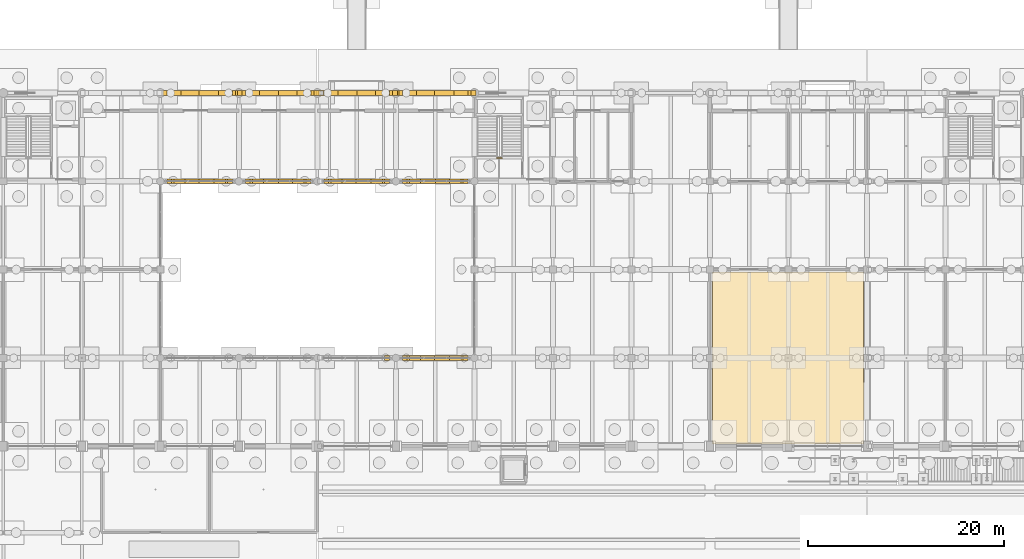
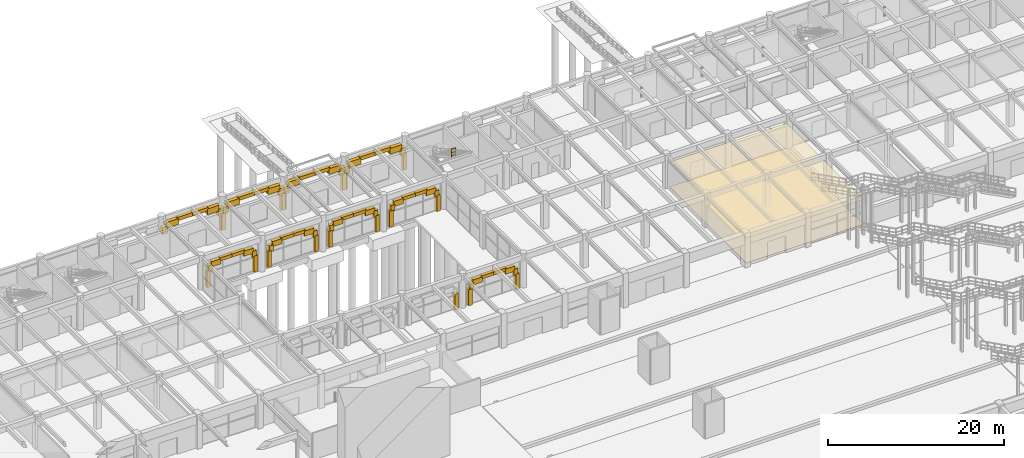
# One storey, part 139 of 147: 74 coverings, 1 railing.
"""IFC4 building model written with IfcOpenShell, lengths in metres."""

from ifc_helpers import new_model, si_unit, direction, frame, origin, origin_2d, place, context, subcontext, project, spatial, polyline, rectangle, circle, outline, extrude, material, layer, layer_set, type_object, element, save


model = new_model("IFC4")

# Units and contexts
model_context = context("Model", 3, precision=1e-05, world=origin(), true_north=direction((0.0, 1.0)))
body_context = subcontext(model_context, "Body", "Model", "MODEL_VIEW")
ifc_project = project(units=[si_unit("LENGTHUNIT", "METRE"), si_unit("AREAUNIT", "SQUARE_METRE"), si_unit("VOLUMEUNIT", "CUBIC_METRE"), si_unit("PLANEANGLEUNIT", "RADIAN"), si_unit("MASSUNIT", "GRAM", prefix="KILO")], contexts=[model_context])

# Site, building, storey
site_placement = place(None, origin())
site = spatial("IfcSite", under=ifc_project, at=site_placement, CompositionType="ELEMENT")
building_placement = place(site_placement, origin())
building = spatial("IfcBuilding", under=site, at=building_placement, Name="Varnabhumi Central Station", CompositionType="ELEMENT")
storey_placement = place(building_placement, origin())
storey = spatial("IfcBuildingStorey", under=building, at=storey_placement, Name="L00", CompositionType="ELEMENT", Elevation=0.0)

# Coverings
ifc_material_1 = material(Name="Mineral-fibre acoustic tile")
ifc_layer_1 = layer(ifc_material_1, 0.02490234375, Name="Mineral-fibre acoustic tile")
ifc_layer_set_1 = layer_set([ifc_layer_1], Name="Mineral-fibre acoustic tile")
covering_type_1 = type_object("IfcCoveringType", Name="COV-CEIL-ACOUSTIC", PredefinedType="CEILING", material=ifc_layer_set_1)
covering_1_placement = place(storey_placement, frame((0.0, 0.0, 3.469970703125)))
element("IfcCovering", 1, at=covering_1_placement, inside=storey, type_object=covering_type_1, Name="Forecourt Espresso and Snack Bar Acoustic Ceiling", PredefinedType="CEILING", context=body_context, shape_type="SweptSolid", body=[
    extrude(outline(polyline([(104.25, 80.25), (119.64990234375, 80.25), (119.64990234375, 97.75), (104.25, 97.75), (104.25, 80.25)])), origin(), (0.0, 0.0, 1.0), 0.025146484375),
])
ifc_material_2 = material(Name="Vitrified granite stone flooring", Category="masonry")
ifc_layer_2 = layer(ifc_material_2, 0.030029296875, Name="Vitrified granite stone flooring", Category="masonry")
ifc_layer_set_2 = layer_set([ifc_layer_2], Name="Vitrified granite stone flooring")
covering_type_2 = type_object("IfcCoveringType", Name="COV-FLOR-GRANITE", PredefinedType="FLOORING", material=ifc_layer_set_2)
covering_2_placement = place(storey_placement, origin())
element("IfcCovering", 2, at=covering_2_placement, inside=storey, type_object=covering_type_2, Name="Forecourt Espresso and Snack Bar Granite Flooring", PredefinedType="FLOORING", context=body_context, shape_type="SweptSolid", body=[
    extrude(outline(polyline([(104.25, 80.25), (119.64990234375, 80.25), (119.64990234375, 97.75), (104.25, 97.75), (104.25, 80.25)])), origin(), (0.0, 0.0, 1.0), 0.030029296875),
])
ifc_material_3 = material(Name="Terracotta clay Mission barrel tile", Category="masonry")
ifc_layer_3 = layer(ifc_material_3, 0.02001953125, Name="Terracotta clay Mission barrel tile", Category="masonry")
ifc_layer_set_3 = layer_set([ifc_layer_3], Name="Terracotta clay Mission barrel tile")
covering_type_3 = type_object("IfcCoveringType", Name="COV-WALL-FAIENCE", PredefinedType="CLADDING", material=ifc_layer_set_3)
covering_3_placement = place(storey_placement, frame((48.342529296875, 116.0, 2.110107421875), z_axis=(0.0, 0.0, 1.0), x_axis=(1.0, 0.0, 0.0)))
element("IfcCovering", 3, at=covering_3_placement, inside=storey, type_object=covering_type_3, Name="North Boulevard Portales Arch 7 Stone Voussoir 1", PredefinedType="CLADDING", context=body_context, shape_type="SweptSolid", body=[
    extrude(rectangle(XDim=0.64501953125, YDim=0.47998046875, at=origin_2d()), origin(), (0.0, 0.0, 1.0), 1.0048828125),
])
covering_4_placement = place(storey_placement, frame((49.322509765625, 116.0, 2.8349609375), z_axis=(0.0, 0.0, 1.0), x_axis=(1.0, 0.0, 0.0)))
element("IfcCovering", 4, at=covering_4_placement, inside=storey, type_object=covering_type_3, Name="North Boulevard Portales Arch 7 Stone Voussoir 2", PredefinedType="CLADDING", context=body_context, shape_type="SweptSolid", body=[
    extrude(rectangle(XDim=1.554931640625, YDim=0.47998046875, at=origin_2d()), origin(), (0.0, 0.0, 1.0), 0.81103515625),
])
for number, where, z_axis, x_axis, name in (
    (5, (51.02001953125, 116.0, 3.365966796875), (0.0, 0.0, 1.0), (1.0, 0.0, 0.0), "North Boulevard Portales Arch 7 Stone Voussoir 3"),
    (6, (52.97998046875, 116.0, 3.365966796875), (0.0, 0.0, 1.0), (1.0, 0.0, 0.0), "North Boulevard Portales Arch 7 Stone Voussoir 4"),
):
    element("IfcCovering", number, at=place(storey_placement, frame(where, z_axis=z_axis, x_axis=x_axis)), inside=storey, type_object=covering_type_3, Name=name, PredefinedType="CLADDING", context=body_context, shape_type="SweptSolid", body=[
        extrude(rectangle(XDim=2.080078125, YDim=0.47998046875, at=origin_2d()), origin(), (0.0, 0.0, 1.0), 0.47412109375),
    ])
covering_5_placement = place(storey_placement, frame((54.677490234375, 116.0, 2.8349609375), z_axis=(0.0, 0.0, 1.0), x_axis=(1.0, 0.0, 0.0)))
element("IfcCovering", 7, at=covering_5_placement, inside=storey, type_object=covering_type_3, Name="North Boulevard Portales Arch 7 Stone Voussoir 5", PredefinedType="CLADDING", context=body_context, shape_type="SweptSolid", body=[
    extrude(rectangle(XDim=1.554931640625, YDim=0.47998046875, at=origin_2d()), origin(), (0.0, 0.0, 1.0), 0.81103515625),
])
covering_6_placement = place(storey_placement, frame((55.657470703125, 116.0, 2.110107421875), z_axis=(0.0, 0.0, 1.0), x_axis=(1.0, 0.0, 0.0)))
element("IfcCovering", 8, at=covering_6_placement, inside=storey, type_object=covering_type_3, Name="North Boulevard Portales Arch 7 Stone Voussoir 6", PredefinedType="CLADDING", context=body_context, shape_type="SweptSolid", body=[
    extrude(rectangle(XDim=0.64501953125, YDim=0.47998046875, at=origin_2d()), origin(), (0.0, 0.0, 1.0), 1.0048828125),
])
covering_7_placement = place(storey_placement, frame((55.919921875, 116.0, -0.02001953125), z_axis=(0.0, 0.0, 1.0), x_axis=(1.0, 0.0, 0.0)))
element("IfcCovering", 9, at=covering_7_placement, inside=storey, type_object=covering_type_3, Name="North Boulevard Portales Arch 7 Classical Pilaster 2", PredefinedType="CLADDING", context=body_context, shape_type="SweptSolid", body=[
    extrude(rectangle(XDim=0.47998046875, YDim=0.47998046875, at=origin_2d()), origin(), (0.0, 0.0, 1.0), 2.2900390625),
])
covering_8_placement = place(storey_placement, frame((56.342529296875, 116.0, 2.110107421875), z_axis=(0.0, 0.0, 1.0), x_axis=(1.0, 0.0, 0.0)))
element("IfcCovering", 10, at=covering_8_placement, inside=storey, type_object=covering_type_3, Name="North Boulevard Portales Arch 8 Stone Voussoir 1", PredefinedType="CLADDING", context=body_context, shape_type="SweptSolid", body=[
    extrude(rectangle(XDim=0.64501953125, YDim=0.47998046875, at=origin_2d()), origin(), (0.0, 0.0, 1.0), 1.0048828125),
])
covering_9_placement = place(storey_placement, frame((57.322509765625, 116.0, 2.8349609375), z_axis=(0.0, 0.0, 1.0), x_axis=(1.0, 0.0, 0.0)))
element("IfcCovering", 11, at=covering_9_placement, inside=storey, type_object=covering_type_3, Name="North Boulevard Portales Arch 8 Stone Voussoir 2", PredefinedType="CLADDING", context=body_context, shape_type="SweptSolid", body=[
    extrude(rectangle(XDim=1.554931640625, YDim=0.47998046875, at=origin_2d()), origin(), (0.0, 0.0, 1.0), 0.81103515625),
])
for number, where, z_axis, x_axis, name in (
    (12, (59.02001953125, 116.0, 3.365966796875), (0.0, 0.0, 1.0), (1.0, 0.0, 0.0), "North Boulevard Portales Arch 8 Stone Voussoir 3"),
    (13, (60.97998046875, 116.0, 3.365966796875), (0.0, 0.0, 1.0), (1.0, 0.0, 0.0), "North Boulevard Portales Arch 8 Stone Voussoir 4"),
):
    element("IfcCovering", number, at=place(storey_placement, frame(where, z_axis=z_axis, x_axis=x_axis)), inside=storey, type_object=covering_type_3, Name=name, PredefinedType="CLADDING", context=body_context, shape_type="SweptSolid", body=[
        extrude(rectangle(XDim=2.080078125, YDim=0.47998046875, at=origin_2d()), origin(), (0.0, 0.0, 1.0), 0.47412109375),
    ])
covering_10_placement = place(storey_placement, frame((62.677490234375, 116.0, 2.8349609375), z_axis=(0.0, 0.0, 1.0), x_axis=(1.0, 0.0, 0.0)))
element("IfcCovering", 14, at=covering_10_placement, inside=storey, type_object=covering_type_3, Name="North Boulevard Portales Arch 8 Stone Voussoir 5", PredefinedType="CLADDING", context=body_context, shape_type="SweptSolid", body=[
    extrude(rectangle(XDim=1.554931640625, YDim=0.47998046875, at=origin_2d()), origin(), (0.0, 0.0, 1.0), 0.81103515625),
])
covering_11_placement = place(storey_placement, frame((63.657470703125, 116.0, 2.110107421875), z_axis=(0.0, 0.0, 1.0), x_axis=(1.0, 0.0, 0.0)))
element("IfcCovering", 15, at=covering_11_placement, inside=storey, type_object=covering_type_3, Name="North Boulevard Portales Arch 8 Stone Voussoir 6", PredefinedType="CLADDING", context=body_context, shape_type="SweptSolid", body=[
    extrude(rectangle(XDim=0.64501953125, YDim=0.47998046875, at=origin_2d()), origin(), (0.0, 0.0, 1.0), 1.0048828125),
])
for number, where, z_axis, x_axis, name in (
    (16, (56.080078125, 116.0, -0.02001953125), (0.0, 0.0, 1.0), (1.0, 0.0, 0.0), "North Boulevard Portales Arch 8 Classical Pilaster 1"),
    (17, (63.919921875, 116.0, -0.02001953125), (0.0, 0.0, 1.0), (1.0, 0.0, 0.0), "North Boulevard Portales Arch 8 Classical Pilaster 2"),
):
    element("IfcCovering", number, at=place(storey_placement, frame(where, z_axis=z_axis, x_axis=x_axis)), inside=storey, type_object=covering_type_3, Name=name, PredefinedType="CLADDING", context=body_context, shape_type="SweptSolid", body=[
        extrude(rectangle(XDim=0.47998046875, YDim=0.47998046875, at=origin_2d()), origin(), (0.0, 0.0, 1.0), 2.2900390625),
    ])
covering_12_placement = place(storey_placement, frame((64.342529296875, 116.0, 2.110107421875), z_axis=(0.0, 0.0, 1.0), x_axis=(1.0, 0.0, 0.0)))
element("IfcCovering", 18, at=covering_12_placement, inside=storey, type_object=covering_type_3, Name="North Boulevard Portales Arch 9 Stone Voussoir 1", PredefinedType="CLADDING", context=body_context, shape_type="SweptSolid", body=[
    extrude(rectangle(XDim=0.64501953125, YDim=0.47998046875, at=origin_2d()), origin(), (0.0, 0.0, 1.0), 1.0048828125),
])
covering_13_placement = place(storey_placement, frame((65.322509765625, 116.0, 2.8349609375), z_axis=(0.0, 0.0, 1.0), x_axis=(1.0, 0.0, 0.0)))
element("IfcCovering", 19, at=covering_13_placement, inside=storey, type_object=covering_type_3, Name="North Boulevard Portales Arch 9 Stone Voussoir 2", PredefinedType="CLADDING", context=body_context, shape_type="SweptSolid", body=[
    extrude(rectangle(XDim=1.554931640625, YDim=0.47998046875, at=origin_2d()), origin(), (0.0, 0.0, 1.0), 0.81103515625),
])
for number, where, z_axis, x_axis, name in (
    (20, (67.02001953125, 116.0, 3.365966796875), (0.0, 0.0, 1.0), (1.0, 0.0, 0.0), "North Boulevard Portales Arch 9 Stone Voussoir 3"),
    (21, (68.97998046875, 116.0, 3.365966796875), (0.0, 0.0, 1.0), (1.0, 0.0, 0.0), "North Boulevard Portales Arch 9 Stone Voussoir 4"),
):
    element("IfcCovering", number, at=place(storey_placement, frame(where, z_axis=z_axis, x_axis=x_axis)), inside=storey, type_object=covering_type_3, Name=name, PredefinedType="CLADDING", context=body_context, shape_type="SweptSolid", body=[
        extrude(rectangle(XDim=2.080078125, YDim=0.47998046875, at=origin_2d()), origin(), (0.0, 0.0, 1.0), 0.47412109375),
    ])
covering_14_placement = place(storey_placement, frame((70.677490234375, 116.0, 2.8349609375), z_axis=(0.0, 0.0, 1.0), x_axis=(1.0, 0.0, 0.0)))
element("IfcCovering", 22, at=covering_14_placement, inside=storey, type_object=covering_type_3, Name="North Boulevard Portales Arch 9 Stone Voussoir 5", PredefinedType="CLADDING", context=body_context, shape_type="SweptSolid", body=[
    extrude(rectangle(XDim=1.554931640625, YDim=0.47998046875, at=origin_2d()), origin(), (0.0, 0.0, 1.0), 0.81103515625),
])
covering_15_placement = place(storey_placement, frame((71.657470703125, 116.0, 2.110107421875), z_axis=(0.0, 0.0, 1.0), x_axis=(1.0, 0.0, 0.0)))
element("IfcCovering", 23, at=covering_15_placement, inside=storey, type_object=covering_type_3, Name="North Boulevard Portales Arch 9 Stone Voussoir 6", PredefinedType="CLADDING", context=body_context, shape_type="SweptSolid", body=[
    extrude(rectangle(XDim=0.64501953125, YDim=0.47998046875, at=origin_2d()), origin(), (0.0, 0.0, 1.0), 1.0048828125),
])
for number, where, z_axis, x_axis, name in (
    (24, (64.080078125, 116.0, -0.02001953125), (0.0, 0.0, 1.0), (1.0, 0.0, 0.0), "North Boulevard Portales Arch 9 Classical Pilaster 1"),
    (25, (71.919921875, 116.0, -0.02001953125), (0.0, 0.0, 1.0), (1.0, 0.0, 0.0), "North Boulevard Portales Arch 9 Classical Pilaster 2"),
):
    element("IfcCovering", number, at=place(storey_placement, frame(where, z_axis=z_axis, x_axis=x_axis)), inside=storey, type_object=covering_type_3, Name=name, PredefinedType="CLADDING", context=body_context, shape_type="SweptSolid", body=[
        extrude(rectangle(XDim=0.47998046875, YDim=0.47998046875, at=origin_2d()), origin(), (0.0, 0.0, 1.0), 2.2900390625),
    ])
covering_16_placement = place(storey_placement, frame((72.342529296875, 116.0, 2.110107421875), z_axis=(0.0, 0.0, 1.0), x_axis=(1.0, 0.0, 0.0)))
element("IfcCovering", 26, at=covering_16_placement, inside=storey, type_object=covering_type_3, Name="North Boulevard Portales Arch 10 Stone Voussoir 1", PredefinedType="CLADDING", context=body_context, shape_type="SweptSolid", body=[
    extrude(rectangle(XDim=0.64501953125, YDim=0.47998046875, at=origin_2d()), origin(), (0.0, 0.0, 1.0), 1.0048828125),
])
covering_17_placement = place(storey_placement, frame((73.322509765625, 116.0, 2.8349609375), z_axis=(0.0, 0.0, 1.0), x_axis=(1.0, 0.0, 0.0)))
element("IfcCovering", 27, at=covering_17_placement, inside=storey, type_object=covering_type_3, Name="North Boulevard Portales Arch 10 Stone Voussoir 2", PredefinedType="CLADDING", context=body_context, shape_type="SweptSolid", body=[
    extrude(rectangle(XDim=1.554931640625, YDim=0.47998046875, at=origin_2d()), origin(), (0.0, 0.0, 1.0), 0.81103515625),
])
for number, where, z_axis, x_axis, name in (
    (28, (75.02001953125, 116.0, 3.365966796875), (0.0, 0.0, 1.0), (1.0, 0.0, 0.0), "North Boulevard Portales Arch 10 Stone Voussoir 3"),
    (29, (76.97998046875, 116.0, 3.365966796875), (0.0, 0.0, 1.0), (1.0, 0.0, 0.0), "North Boulevard Portales Arch 10 Stone Voussoir 4"),
):
    element("IfcCovering", number, at=place(storey_placement, frame(where, z_axis=z_axis, x_axis=x_axis)), inside=storey, type_object=covering_type_3, Name=name, PredefinedType="CLADDING", context=body_context, shape_type="SweptSolid", body=[
        extrude(rectangle(XDim=2.080078125, YDim=0.47998046875, at=origin_2d()), origin(), (0.0, 0.0, 1.0), 0.47412109375),
    ])
covering_18_placement = place(storey_placement, frame((78.677490234375, 116.0, 2.8349609375), z_axis=(0.0, 0.0, 1.0), x_axis=(1.0, 0.0, 0.0)))
element("IfcCovering", 30, at=covering_18_placement, inside=storey, type_object=covering_type_3, Name="North Boulevard Portales Arch 10 Stone Voussoir 5", PredefinedType="CLADDING", context=body_context, shape_type="SweptSolid", body=[
    extrude(rectangle(XDim=1.554931640625, YDim=0.47998046875, at=origin_2d()), origin(), (0.0, 0.0, 1.0), 0.81103515625),
])
covering_19_placement = place(storey_placement, frame((79.657470703125, 116.0, 2.110107421875), z_axis=(0.0, 0.0, 1.0), x_axis=(1.0, 0.0, 0.0)))
element("IfcCovering", 31, at=covering_19_placement, inside=storey, type_object=covering_type_3, Name="North Boulevard Portales Arch 10 Stone Voussoir 6", PredefinedType="CLADDING", context=body_context, shape_type="SweptSolid", body=[
    extrude(rectangle(XDim=0.64501953125, YDim=0.47998046875, at=origin_2d()), origin(), (0.0, 0.0, 1.0), 1.0048828125),
])
for number, where, z_axis, x_axis, name in (
    (32, (72.080078125, 116.0, -0.02001953125), (0.0, 0.0, 1.0), (1.0, 0.0, 0.0), "North Boulevard Portales Arch 10 Classical Pilaster 1"),
    (33, (79.919921875, 116.0, -0.02001953125), (0.0, 0.0, 1.0), (1.0, 0.0, 0.0), "North Boulevard Portales Arch 10 Classical Pilaster 2"),
):
    element("IfcCovering", number, at=place(storey_placement, frame(where, z_axis=z_axis, x_axis=x_axis)), inside=storey, type_object=covering_type_3, Name=name, PredefinedType="CLADDING", context=body_context, shape_type="SweptSolid", body=[
        extrude(rectangle(XDim=0.47998046875, YDim=0.47998046875, at=origin_2d()), origin(), (0.0, 0.0, 1.0), 2.2900390625),
    ])
covering_20_placement = place(storey_placement, frame((49.107421875, 107.0, 2.06005859375), z_axis=(0.0, 0.0, 1.0), x_axis=(1.0, 0.0, 0.0)))
element("IfcCovering", 34, at=covering_20_placement, inside=storey, type_object=covering_type_3, Name="North Patio Cloister Arch L00-N1 Stone Voussoir 1", PredefinedType="CLADDING", context=body_context, shape_type="SweptSolid", body=[
    extrude(rectangle(XDim=0.534912109375, YDim=0.47998046875, at=origin_2d()), origin(), (0.0, 0.0, 1.0), 0.8798828125),
])
covering_21_placement = place(storey_placement, frame((49.882568359375, 107.0, 2.66015625), z_axis=(0.0, 0.0, 1.0), x_axis=(1.0, 0.0, 0.0)))
element("IfcCovering", 35, at=covering_21_placement, inside=storey, type_object=covering_type_3, Name="North Patio Cloister Arch L00-N1 Stone Voussoir 2", PredefinedType="CLADDING", context=body_context, shape_type="SweptSolid", body=[
    extrude(rectangle(XDim=1.2548828125, YDim=0.47998046875, at=origin_2d()), origin(), (0.0, 0.0, 1.0), 0.718994140625),
])
for number, where, z_axis, x_axis, name in (
    (36, (51.22509765625, 107.0, 3.09912109375), (0.0, 0.0, 1.0), (1.0, 0.0, 0.0), "North Patio Cloister Arch L00-N1 Stone Voussoir 3"),
    (37, (52.77490234375, 107.0, 3.09912109375), (0.0, 0.0, 1.0), (1.0, 0.0, 0.0), "North Patio Cloister Arch L00-N1 Stone Voussoir 4"),
):
    element("IfcCovering", number, at=place(storey_placement, frame(where, z_axis=z_axis, x_axis=x_axis)), inside=storey, type_object=covering_type_3, Name=name, PredefinedType="CLADDING", context=body_context, shape_type="SweptSolid", body=[
        extrude(rectangle(XDim=1.669921875, YDim=0.47998046875, at=origin_2d()), origin(), (0.0, 0.0, 1.0), 0.44091796875),
    ])
covering_22_placement = place(storey_placement, frame((54.117431640625, 107.0, 2.66015625), z_axis=(0.0, 0.0, 1.0), x_axis=(1.0, 0.0, 0.0)))
element("IfcCovering", 38, at=covering_22_placement, inside=storey, type_object=covering_type_3, Name="North Patio Cloister Arch L00-N1 Stone Voussoir 5", PredefinedType="CLADDING", context=body_context, shape_type="SweptSolid", body=[
    extrude(rectangle(XDim=1.2548828125, YDim=0.47998046875, at=origin_2d()), origin(), (0.0, 0.0, 1.0), 0.718994140625),
])
covering_23_placement = place(storey_placement, frame((54.892578125, 107.0, 2.06005859375), z_axis=(0.0, 0.0, 1.0), x_axis=(1.0, 0.0, 0.0)))
element("IfcCovering", 39, at=covering_23_placement, inside=storey, type_object=covering_type_3, Name="North Patio Cloister Arch L00-N1 Stone Voussoir 6", PredefinedType="CLADDING", context=body_context, shape_type="SweptSolid", body=[
    extrude(rectangle(XDim=0.534912109375, YDim=0.47998046875, at=origin_2d()), origin(), (0.0, 0.0, 1.0), 0.8798828125),
])
for number, where, z_axis, x_axis, name in (
    (40, (48.89990234375, 107.0, -0.02001953125), (0.0, 0.0, 1.0), (1.0, 0.0, 0.0), "North Patio Cloister Arch L00-N1 Classical Pilaster 1"),
    (41, (55.10009765625, 107.0, -0.02001953125), (0.0, 0.0, 1.0), (1.0, 0.0, 0.0), "North Patio Cloister Arch L00-N1 Classical Pilaster 2"),
):
    element("IfcCovering", number, at=place(storey_placement, frame(where, z_axis=z_axis, x_axis=x_axis)), inside=storey, type_object=covering_type_3, Name=name, PredefinedType="CLADDING", context=body_context, shape_type="SweptSolid", body=[
        extrude(rectangle(XDim=0.47998046875, YDim=0.47998046875, at=origin_2d()), origin(), (0.0, 0.0, 1.0), 2.239990234375),
    ])
covering_24_placement = place(storey_placement, frame((57.107421875, 107.0, 2.06005859375), z_axis=(0.0, 0.0, 1.0), x_axis=(1.0, 0.0, 0.0)))
element("IfcCovering", 42, at=covering_24_placement, inside=storey, type_object=covering_type_3, Name="North Patio Cloister Arch L00-N2 Stone Voussoir 1", PredefinedType="CLADDING", context=body_context, shape_type="SweptSolid", body=[
    extrude(rectangle(XDim=0.534912109375, YDim=0.47998046875, at=origin_2d()), origin(), (0.0, 0.0, 1.0), 0.8798828125),
])
covering_25_placement = place(storey_placement, frame((57.882568359375, 107.0, 2.66015625), z_axis=(0.0, 0.0, 1.0), x_axis=(1.0, 0.0, 0.0)))
element("IfcCovering", 43, at=covering_25_placement, inside=storey, type_object=covering_type_3, Name="North Patio Cloister Arch L00-N2 Stone Voussoir 2", PredefinedType="CLADDING", context=body_context, shape_type="SweptSolid", body=[
    extrude(rectangle(XDim=1.2548828125, YDim=0.47998046875, at=origin_2d()), origin(), (0.0, 0.0, 1.0), 0.718994140625),
])
for number, where, z_axis, x_axis, name in (
    (44, (59.22509765625, 107.0, 3.09912109375), (0.0, 0.0, 1.0), (1.0, 0.0, 0.0), "North Patio Cloister Arch L00-N2 Stone Voussoir 3"),
    (45, (60.77490234375, 107.0, 3.09912109375), (0.0, 0.0, 1.0), (1.0, 0.0, 0.0), "North Patio Cloister Arch L00-N2 Stone Voussoir 4"),
):
    element("IfcCovering", number, at=place(storey_placement, frame(where, z_axis=z_axis, x_axis=x_axis)), inside=storey, type_object=covering_type_3, Name=name, PredefinedType="CLADDING", context=body_context, shape_type="SweptSolid", body=[
        extrude(rectangle(XDim=1.669921875, YDim=0.47998046875, at=origin_2d()), origin(), (0.0, 0.0, 1.0), 0.44091796875),
    ])
covering_26_placement = place(storey_placement, frame((62.117431640625, 107.0, 2.66015625), z_axis=(0.0, 0.0, 1.0), x_axis=(1.0, 0.0, 0.0)))
element("IfcCovering", 46, at=covering_26_placement, inside=storey, type_object=covering_type_3, Name="North Patio Cloister Arch L00-N2 Stone Voussoir 5", PredefinedType="CLADDING", context=body_context, shape_type="SweptSolid", body=[
    extrude(rectangle(XDim=1.2548828125, YDim=0.47998046875, at=origin_2d()), origin(), (0.0, 0.0, 1.0), 0.718994140625),
])
covering_27_placement = place(storey_placement, frame((62.892578125, 107.0, 2.06005859375), z_axis=(0.0, 0.0, 1.0), x_axis=(1.0, 0.0, 0.0)))
element("IfcCovering", 47, at=covering_27_placement, inside=storey, type_object=covering_type_3, Name="North Patio Cloister Arch L00-N2 Stone Voussoir 6", PredefinedType="CLADDING", context=body_context, shape_type="SweptSolid", body=[
    extrude(rectangle(XDim=0.534912109375, YDim=0.47998046875, at=origin_2d()), origin(), (0.0, 0.0, 1.0), 0.8798828125),
])
for number, where, z_axis, x_axis, name in (
    (48, (56.89990234375, 107.0, -0.02001953125), (0.0, 0.0, 1.0), (1.0, 0.0, 0.0), "North Patio Cloister Arch L00-N2 Classical Pilaster 1"),
    (49, (63.10009765625, 107.0, -0.02001953125), (0.0, 0.0, 1.0), (1.0, 0.0, 0.0), "North Patio Cloister Arch L00-N2 Classical Pilaster 2"),
    (50, (71.10009765625, 89.0, -0.02001953125), (0.0, 0.0, 1.0), (1.0, 0.0, 0.0), "North Patio Cloister Arch L00-S3 Classical Pilaster 2"),
):
    element("IfcCovering", number, at=place(storey_placement, frame(where, z_axis=z_axis, x_axis=x_axis)), inside=storey, type_object=covering_type_3, Name=name, PredefinedType="CLADDING", context=body_context, shape_type="SweptSolid", body=[
        extrude(rectangle(XDim=0.47998046875, YDim=0.47998046875, at=origin_2d()), origin(), (0.0, 0.0, 1.0), 2.239990234375),
    ])
covering_28_placement = place(storey_placement, frame((65.107421875, 107.0, 2.06005859375), z_axis=(0.0, 0.0, 1.0), x_axis=(1.0, 0.0, 0.0)))
element("IfcCovering", 51, at=covering_28_placement, inside=storey, type_object=covering_type_3, Name="North Patio Cloister Arch L00-N3 Stone Voussoir 1", PredefinedType="CLADDING", context=body_context, shape_type="SweptSolid", body=[
    extrude(rectangle(XDim=0.534912109375, YDim=0.47998046875, at=origin_2d()), origin(), (0.0, 0.0, 1.0), 0.8798828125),
])
covering_29_placement = place(storey_placement, frame((65.882568359375, 107.0, 2.66015625), z_axis=(0.0, 0.0, 1.0), x_axis=(1.0, 0.0, 0.0)))
element("IfcCovering", 52, at=covering_29_placement, inside=storey, type_object=covering_type_3, Name="North Patio Cloister Arch L00-N3 Stone Voussoir 2", PredefinedType="CLADDING", context=body_context, shape_type="SweptSolid", body=[
    extrude(rectangle(XDim=1.2548828125, YDim=0.47998046875, at=origin_2d()), origin(), (0.0, 0.0, 1.0), 0.718994140625),
])
for number, where, z_axis, x_axis, name in (
    (53, (67.22509765625, 107.0, 3.09912109375), (0.0, 0.0, 1.0), (1.0, 0.0, 0.0), "North Patio Cloister Arch L00-N3 Stone Voussoir 3"),
    (54, (68.77490234375, 107.0, 3.09912109375), (0.0, 0.0, 1.0), (1.0, 0.0, 0.0), "North Patio Cloister Arch L00-N3 Stone Voussoir 4"),
):
    element("IfcCovering", number, at=place(storey_placement, frame(where, z_axis=z_axis, x_axis=x_axis)), inside=storey, type_object=covering_type_3, Name=name, PredefinedType="CLADDING", context=body_context, shape_type="SweptSolid", body=[
        extrude(rectangle(XDim=1.669921875, YDim=0.47998046875, at=origin_2d()), origin(), (0.0, 0.0, 1.0), 0.44091796875),
    ])
covering_30_placement = place(storey_placement, frame((70.117431640625, 107.0, 2.66015625), z_axis=(0.0, 0.0, 1.0), x_axis=(1.0, 0.0, 0.0)))
element("IfcCovering", 55, at=covering_30_placement, inside=storey, type_object=covering_type_3, Name="North Patio Cloister Arch L00-N3 Stone Voussoir 5", PredefinedType="CLADDING", context=body_context, shape_type="SweptSolid", body=[
    extrude(rectangle(XDim=1.2548828125, YDim=0.47998046875, at=origin_2d()), origin(), (0.0, 0.0, 1.0), 0.718994140625),
])
covering_31_placement = place(storey_placement, frame((70.892578125, 107.0, 2.06005859375), z_axis=(0.0, 0.0, 1.0), x_axis=(1.0, 0.0, 0.0)))
element("IfcCovering", 56, at=covering_31_placement, inside=storey, type_object=covering_type_3, Name="North Patio Cloister Arch L00-N3 Stone Voussoir 6", PredefinedType="CLADDING", context=body_context, shape_type="SweptSolid", body=[
    extrude(rectangle(XDim=0.534912109375, YDim=0.47998046875, at=origin_2d()), origin(), (0.0, 0.0, 1.0), 0.8798828125),
])
for number, where, z_axis, x_axis, name in (
    (57, (64.89990234375, 107.0, -0.02001953125), (0.0, 0.0, 1.0), (1.0, 0.0, 0.0), "North Patio Cloister Arch L00-N3 Classical Pilaster 1"),
    (58, (71.10009765625, 107.0, -0.02001953125), (0.0, 0.0, 1.0), (1.0, 0.0, 0.0), "North Patio Cloister Arch L00-N3 Classical Pilaster 2"),
):
    element("IfcCovering", number, at=place(storey_placement, frame(where, z_axis=z_axis, x_axis=x_axis)), inside=storey, type_object=covering_type_3, Name=name, PredefinedType="CLADDING", context=body_context, shape_type="SweptSolid", body=[
        extrude(rectangle(XDim=0.47998046875, YDim=0.47998046875, at=origin_2d()), origin(), (0.0, 0.0, 1.0), 2.239990234375),
    ])
covering_32_placement = place(storey_placement, frame((73.107421875, 89.0, 2.06005859375), z_axis=(0.0, 0.0, 1.0), x_axis=(1.0, 0.0, 0.0)))
element("IfcCovering", 59, at=covering_32_placement, inside=storey, type_object=covering_type_3, Name="North Patio Cloister Arch L00-S4 Stone Voussoir 1", PredefinedType="CLADDING", context=body_context, shape_type="SweptSolid", body=[
    extrude(rectangle(XDim=0.534912109375, YDim=0.47998046875, at=origin_2d()), origin(), (0.0, 0.0, 1.0), 0.8798828125),
])
covering_33_placement = place(storey_placement, frame((73.882568359375, 89.0, 2.66015625), z_axis=(0.0, 0.0, 1.0), x_axis=(1.0, 0.0, 0.0)))
element("IfcCovering", 60, at=covering_33_placement, inside=storey, type_object=covering_type_3, Name="North Patio Cloister Arch L00-S4 Stone Voussoir 2", PredefinedType="CLADDING", context=body_context, shape_type="SweptSolid", body=[
    extrude(rectangle(XDim=1.2548828125, YDim=0.47998046875, at=origin_2d()), origin(), (0.0, 0.0, 1.0), 0.718994140625),
])
for number, where, z_axis, x_axis, name in (
    (61, (75.22509765625, 89.0, 3.09912109375), (0.0, 0.0, 1.0), (1.0, 0.0, 0.0), "North Patio Cloister Arch L00-S4 Stone Voussoir 3"),
    (62, (76.77490234375, 89.0, 3.09912109375), (0.0, 0.0, 1.0), (1.0, 0.0, 0.0), "North Patio Cloister Arch L00-S4 Stone Voussoir 4"),
):
    element("IfcCovering", number, at=place(storey_placement, frame(where, z_axis=z_axis, x_axis=x_axis)), inside=storey, type_object=covering_type_3, Name=name, PredefinedType="CLADDING", context=body_context, shape_type="SweptSolid", body=[
        extrude(rectangle(XDim=1.669921875, YDim=0.47998046875, at=origin_2d()), origin(), (0.0, 0.0, 1.0), 0.44091796875),
    ])
covering_34_placement = place(storey_placement, frame((78.117431640625, 89.0, 2.66015625), z_axis=(0.0, 0.0, 1.0), x_axis=(1.0, 0.0, 0.0)))
element("IfcCovering", 63, at=covering_34_placement, inside=storey, type_object=covering_type_3, Name="North Patio Cloister Arch L00-S4 Stone Voussoir 5", PredefinedType="CLADDING", context=body_context, shape_type="SweptSolid", body=[
    extrude(rectangle(XDim=1.2548828125, YDim=0.47998046875, at=origin_2d()), origin(), (0.0, 0.0, 1.0), 0.718994140625),
])
covering_35_placement = place(storey_placement, frame((78.892578125, 89.0, 2.06005859375), z_axis=(0.0, 0.0, 1.0), x_axis=(1.0, 0.0, 0.0)))
element("IfcCovering", 64, at=covering_35_placement, inside=storey, type_object=covering_type_3, Name="North Patio Cloister Arch L00-S4 Stone Voussoir 6", PredefinedType="CLADDING", context=body_context, shape_type="SweptSolid", body=[
    extrude(rectangle(XDim=0.534912109375, YDim=0.47998046875, at=origin_2d()), origin(), (0.0, 0.0, 1.0), 0.8798828125),
])
for number, where, z_axis, x_axis, name in (
    (65, (72.89990234375, 89.0, -0.02001953125), (0.0, 0.0, 1.0), (1.0, 0.0, 0.0), "North Patio Cloister Arch L00-S4 Classical Pilaster 1"),
    (66, (79.10009765625, 89.0, -0.02001953125), (0.0, 0.0, 1.0), (1.0, 0.0, 0.0), "North Patio Cloister Arch L00-S4 Classical Pilaster 2"),
):
    element("IfcCovering", number, at=place(storey_placement, frame(where, z_axis=z_axis, x_axis=x_axis)), inside=storey, type_object=covering_type_3, Name=name, PredefinedType="CLADDING", context=body_context, shape_type="SweptSolid", body=[
        extrude(rectangle(XDim=0.47998046875, YDim=0.47998046875, at=origin_2d()), origin(), (0.0, 0.0, 1.0), 2.239990234375),
    ])
covering_36_placement = place(storey_placement, frame((73.107421875, 107.0, 2.06005859375), z_axis=(0.0, 0.0, 1.0), x_axis=(1.0, 0.0, 0.0)))
element("IfcCovering", 67, at=covering_36_placement, inside=storey, type_object=covering_type_3, Name="North Patio Cloister Arch L00-N4 Stone Voussoir 1", PredefinedType="CLADDING", context=body_context, shape_type="SweptSolid", body=[
    extrude(rectangle(XDim=0.534912109375, YDim=0.47998046875, at=origin_2d()), origin(), (0.0, 0.0, 1.0), 0.8798828125),
])
covering_37_placement = place(storey_placement, frame((73.882568359375, 107.0, 2.66015625), z_axis=(0.0, 0.0, 1.0), x_axis=(1.0, 0.0, 0.0)))
element("IfcCovering", 68, at=covering_37_placement, inside=storey, type_object=covering_type_3, Name="North Patio Cloister Arch L00-N4 Stone Voussoir 2", PredefinedType="CLADDING", context=body_context, shape_type="SweptSolid", body=[
    extrude(rectangle(XDim=1.2548828125, YDim=0.47998046875, at=origin_2d()), origin(), (0.0, 0.0, 1.0), 0.718994140625),
])
for number, where, z_axis, x_axis, name in (
    (69, (75.22509765625, 107.0, 3.09912109375), (0.0, 0.0, 1.0), (1.0, 0.0, 0.0), "North Patio Cloister Arch L00-N4 Stone Voussoir 3"),
    (70, (76.77490234375, 107.0, 3.09912109375), (0.0, 0.0, 1.0), (1.0, 0.0, 0.0), "North Patio Cloister Arch L00-N4 Stone Voussoir 4"),
):
    element("IfcCovering", number, at=place(storey_placement, frame(where, z_axis=z_axis, x_axis=x_axis)), inside=storey, type_object=covering_type_3, Name=name, PredefinedType="CLADDING", context=body_context, shape_type="SweptSolid", body=[
        extrude(rectangle(XDim=1.669921875, YDim=0.47998046875, at=origin_2d()), origin(), (0.0, 0.0, 1.0), 0.44091796875),
    ])
covering_38_placement = place(storey_placement, frame((78.117431640625, 107.0, 2.66015625), z_axis=(0.0, 0.0, 1.0), x_axis=(1.0, 0.0, 0.0)))
element("IfcCovering", 71, at=covering_38_placement, inside=storey, type_object=covering_type_3, Name="North Patio Cloister Arch L00-N4 Stone Voussoir 5", PredefinedType="CLADDING", context=body_context, shape_type="SweptSolid", body=[
    extrude(rectangle(XDim=1.2548828125, YDim=0.47998046875, at=origin_2d()), origin(), (0.0, 0.0, 1.0), 0.718994140625),
])
covering_39_placement = place(storey_placement, frame((78.892578125, 107.0, 2.06005859375), z_axis=(0.0, 0.0, 1.0), x_axis=(1.0, 0.0, 0.0)))
element("IfcCovering", 72, at=covering_39_placement, inside=storey, type_object=covering_type_3, Name="North Patio Cloister Arch L00-N4 Stone Voussoir 6", PredefinedType="CLADDING", context=body_context, shape_type="SweptSolid", body=[
    extrude(rectangle(XDim=0.534912109375, YDim=0.47998046875, at=origin_2d()), origin(), (0.0, 0.0, 1.0), 0.8798828125),
])
for number, where, z_axis, x_axis, name in (
    (73, (72.89990234375, 107.0, -0.02001953125), (0.0, 0.0, 1.0), (1.0, 0.0, 0.0), "North Patio Cloister Arch L00-N4 Classical Pilaster 1"),
    (74, (79.10009765625, 107.0, -0.02001953125), (0.0, 0.0, 1.0), (1.0, 0.0, 0.0), "North Patio Cloister Arch L00-N4 Classical Pilaster 2"),
):
    element("IfcCovering", number, at=place(storey_placement, frame(where, z_axis=z_axis, x_axis=x_axis)), inside=storey, type_object=covering_type_3, Name=name, PredefinedType="CLADDING", context=body_context, shape_type="SweptSolid", body=[
        extrude(rectangle(XDim=0.47998046875, YDim=0.47998046875, at=origin_2d()), origin(), (0.0, 0.0, 1.0), 2.239990234375),
    ])

# Railing
ifc_material_4 = material(Name="Stainless steel Grade 316", Category="steel")
railing_type = type_object("IfcRailingType", Name="RAIL-STAIR-GRD-1150", PredefinedType="GUARDRAIL", material=ifc_material_4)
railing_placement = place(storey_placement, frame((82.300048828125, 109.360107421875, 4.800048828125)))
element("IfcRailing", 75, at=railing_placement, inside=storey, type_object=railing_type, Name="ST-N2 L00 Arrival Slot Guard", PredefinedType="GUARDRAIL", context=body_context, shape_type="SweptSolid", body=[
    extrude(circle(Radius=0.02392578125, at=origin_2d()), frame((0.0, 0.0, 1.1259765625), z_axis=(1.0, 0.0, 0.0), x_axis=(0.0, 1.0, 0.0)), (0.0, 0.0, 1.0), 0.5),
    extrude(circle(Radius=0.01416015625, at=origin_2d()), frame((0.0, 0.0, 0.597900390625), z_axis=(1.0, 0.0, 0.0), x_axis=(0.0, 1.0, 0.0)), (0.0, 0.0, 1.0), 0.5),
    extrude(circle(Radius=0.01416015625, at=origin_2d()), frame((0.0, 0.0, 0.18408203125), z_axis=(1.0, 0.0, 0.0), x_axis=(0.0, 1.0, 0.0)), (0.0, 0.0, 1.0), 0.5),
    extrude(circle(Radius=0.02099609375, at=origin_2d()), origin(), (0.0, 0.0, 1.0), 1.101806640625),
    extrude(circle(Radius=0.02099609375, at=origin_2d()), frame((0.5, 0.0, 0.0)), (0.0, 0.0, 1.0), 1.101806640625),
])

save(model, "model.ifc")
